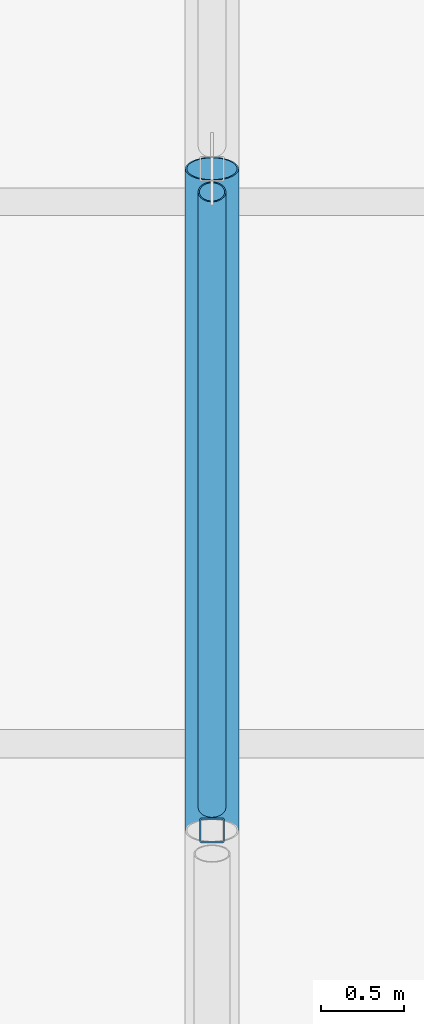
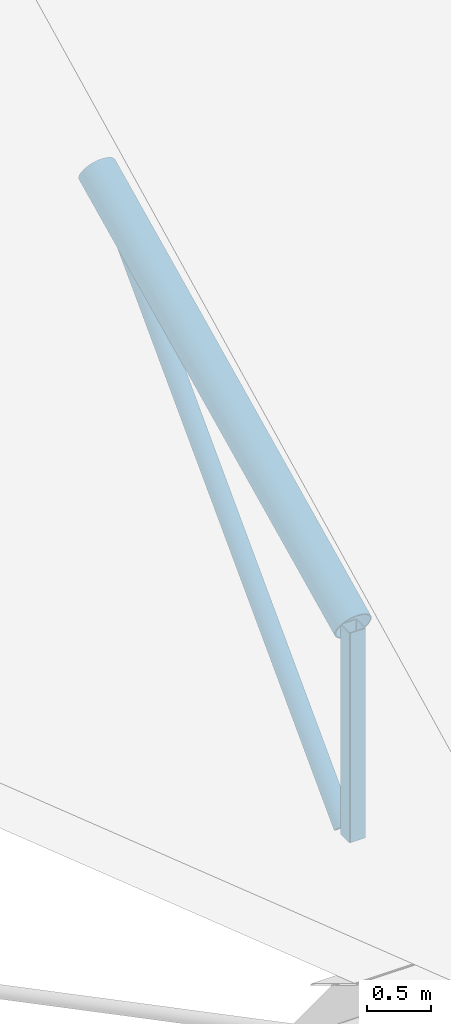
# One storey, part 50 of 137: 3 members.
"""IFC4 building model written with IfcOpenShell, lengths in metres."""

import ifcopenshell
import ifcopenshell.guid

model = None  # the IFC model being written
_history = None  # IfcOwnerHistory: only IFC2X3 demands one
_inside = {}  # id of a spatial element -> (the spatial element, [elements in it])
_under = {}  # id of a project, library or spatial element -> (it, [spatial elements below it])
_declared = {}  # id of a project -> (the project, [libraries it declares])
_typed = {}  # id of a type object -> (the type object, [elements of that type])
_made_of = {}  # id of a material, layer set ... -> (it, [elements and type objects made of it])


def new_model(schema):
    """Start an empty IFC model of exactly this schema.

    Asked for "IFC4X3", IfcOpenShell would pick the latest addendum, in which some entities
    have other attributes; the version numbers below select the first issue.
    IFC2X3 requires an IfcOwnerHistory on every rooted entity: one is made here for all.
    """
    global model, _history
    if schema == "IFC4X3":
        model = ifcopenshell.file(schema_version=(4, 3, 0, 0))
    else:
        model = ifcopenshell.file(schema=schema)
    _inside.clear()
    _under.clear()
    _declared.clear()
    _typed.clear()
    _made_of.clear()
    _history = None
    if model.schema == "IFC2X3":
        org = make("IfcOrganization", Name="unknown")
        user = make(
            "IfcPersonAndOrganization",
            ThePerson=make("IfcPerson", FamilyName="unknown"),
            TheOrganization=org,
        )
        app = make(
            "IfcApplication",
            ApplicationDeveloper=org,
            Version="unknown",
            ApplicationFullName="unknown",
            ApplicationIdentifier="unknown",
        )
        _history = make(
            "IfcOwnerHistory",
            OwningUser=user,
            OwningApplication=app,
            ChangeAction="ADDED",
            CreationDate=0,
        )
    return model


def make(cls, **values):
    """One entity of the class cls with the attributes given. An attribute that is None is left unset."""
    return model.create_entity(
        cls, **{name: value for name, value in values.items() if value is not None}
    )


def rooted(cls, **values):
    """An entity with a GlobalId (a new one), such as an element, a storey or a relation."""
    return make(cls, GlobalId=ifcopenshell.guid.new(), OwnerHistory=_history, **values)


def si_unit(unit_type, name, prefix=None):
    """IfcSIUnit, for example si_unit("LENGTHUNIT", "METRE", prefix="MILLI")."""
    return make("IfcSIUnit", UnitType=unit_type, Prefix=prefix, Name=name)


def assignment(units):
    """IfcUnitAssignment: the units of a project."""
    return None if units is None else make("IfcUnitAssignment", Units=units)


def point(xyz):
    """IfcCartesianPoint."""
    return None if xyz is None else make("IfcCartesianPoint", Coordinates=xyz)


def direction(xyz):
    """IfcDirection."""
    return None if xyz is None else make("IfcDirection", DirectionRatios=xyz)


def frame(location, z_axis=None, x_axis=None):
    """IfcAxis2Placement3D, a coordinate frame: its origin and axes. An axis left out is left unset."""
    return make(
        "IfcAxis2Placement3D",
        Location=point(location),
        Axis=direction(z_axis),
        RefDirection=direction(x_axis),
    )


def frame_2d(location, x_axis=None):
    """IfcAxis2Placement2D, a coordinate frame in the plane: its origin and x axis."""
    return make(
        "IfcAxis2Placement2D", Location=point(location), RefDirection=direction(x_axis)
    )


def origin():
    """The frame at (0, 0, 0) with its axes left unset."""
    return frame((0.0, 0.0, 0.0))


def origin_2d():
    """The frame at (0, 0) in the plane with its x axis left unset."""
    return frame_2d((0.0, 0.0))


def place(relative_to, where):
    """IfcLocalPlacement: puts the frame where relative to a parent placement (None: the world)."""
    return make(
        "IfcLocalPlacement", PlacementRelTo=relative_to, RelativePlacement=where
    )


def context(
    kind, dimensions, precision=None, world=None, true_north=None, identifier=None
):
    """IfcGeometricRepresentationContext, for example the 3D "Model" context."""
    return make(
        "IfcGeometricRepresentationContext",
        ContextIdentifier=identifier,
        ContextType=kind,
        CoordinateSpaceDimension=dimensions,
        Precision=precision,
        WorldCoordinateSystem=world,
        TrueNorth=true_north,
    )


def subcontext(parent, identifier, kind, view, scale=None):
    """IfcGeometricRepresentationSubContext, for example "Body" below "Model"."""
    return make(
        "IfcGeometricRepresentationSubContext",
        ContextIdentifier=identifier,
        ContextType=kind,
        ParentContext=parent,
        TargetScale=scale,
        TargetView=view,
    )


def project(units=None, contexts=None):
    """IfcProject with its units and contexts."""
    return rooted(
        "IfcProject",
        Name="project",
        RepresentationContexts=contexts,
        UnitsInContext=assignment(units),
    )


def spatial(cls, under=None, at=None, **own):
    """A site, building, storey or space (cls), placed at a placement, below another one or the project."""
    s = rooted(cls, ObjectPlacement=at, **own)
    if under is not None:
        _under.setdefault(under.id(), (under, []))[1].append(s)
    return s


def profile(cls, at=None, kind="AREA", **sizes):
    """A parametric profile (cls). Its sizes go by their IFC names, for example OverallWidth=200.0."""
    return make(cls, ProfileType=kind, Position=at, **sizes)


def hollow_rectangle(**sizes):
    """IfcRectangleHollowProfileDef."""
    return profile("IfcRectangleHollowProfileDef", **sizes)


def hollow_circle(**sizes):
    """IfcCircleHollowProfileDef."""
    return profile("IfcCircleHollowProfileDef", **sizes)


def extrude(swept, where, along, depth):
    """IfcExtrudedAreaSolid: the profile swept, set in the frame where, extruded along a direction by depth."""
    return make(
        "IfcExtrudedAreaSolid",
        SweptArea=swept,
        Position=where,
        ExtrudedDirection=direction(along),
        Depth=depth,
    )


def shape(context_of_items, identifier, shape_type, items):
    """IfcShapeRepresentation: the items that make up one representation, for example the "Body"."""
    return make(
        "IfcShapeRepresentation",
        ContextOfItems=context_of_items,
        RepresentationIdentifier=identifier,
        RepresentationType=shape_type,
        Items=items,
    )


def material(Name=None, Category=None):
    """IfcMaterial."""
    return make("IfcMaterial", Name=Name, Category=Category)


def material_profile(
    of_material, cross_section, Name=None, Category=None, Priority=None
):
    """IfcMaterialProfile: a cross section and its material."""
    return make(
        "IfcMaterialProfile",
        Name=Name,
        Material=of_material,
        Profile=cross_section,
        Priority=Priority,
        Category=Category,
    )


def profile_set(profiles, Name=None, composite=None):
    """IfcMaterialProfileSet."""
    return make(
        "IfcMaterialProfileSet",
        Name=Name,
        MaterialProfiles=profiles,
        CompositeProfile=composite,
    )


def made_of(thing, what):
    """Note that an element or type object is made of a material, layer set ...; save() writes the relation."""
    if what is not None:
        _made_of.setdefault(what.id(), (what, []))[1].append(thing)
    return thing


def type_object(cls, material=None, **own):
    """A type object (cls), such as IfcWallType, which elements share."""
    return made_of(rooted(cls, **own), material)


def element(
    cls,
    number,
    at=None,
    inside=None,
    cuts=None,
    type_object=None,
    material=None,
    context=None,
    identifier="Body",
    shape_type=None,
    held_by="IfcProductDefinitionShape",
    body=None,
    shapes=None,
    **own,
):
    """One element of the class cls, such as IfcWall. Its Tag is "e" and its number.

    at: its placement. inside: the storey or other place that contains it. cuts: it is an
    opening in that element (IfcRelVoidsElement). A single representation is given by context,
    identifier, shape_type and body (its items); several are given by shapes. held_by: the class
    of the entity that holds the representations. save() writes the other relations.
    """
    e = rooted(cls, Tag="e%d" % number, ObjectPlacement=at, **own)
    if body is not None:
        shapes = [shape(context, identifier, shape_type, body)]
    if shapes is not None:
        e.Representation = make(held_by, Representations=shapes)
    if inside is not None:
        _inside.setdefault(inside.id(), (inside, []))[1].append(e)
    if cuts is not None:
        rooted(
            "IfcRelVoidsElement", RelatingBuildingElement=cuts, RelatedOpeningElement=e
        )
    if type_object is not None:
        _typed.setdefault(type_object.id(), (type_object, []))[1].append(e)
    return made_of(e, material)


def aggregate(whole, parts):
    """IfcRelAggregates: a whole, such as a stair, and the parts it consists of."""
    return rooted("IfcRelAggregates", RelatingObject=whole, RelatedObjects=parts)


def save(model, path):
    """Write the relations noted so far, then the file.

    IfcRelAggregates (storeys below a building ...), IfcRelContainedInSpatialStructure (elements
    in a storey), IfcRelDefinesByType, IfcRelAssociatesMaterial and IfcRelDeclares: one each for
    every whole, place, type object, material and project.
    """
    for whole, parts in _under.values():
        aggregate(whole, parts)
    for where, things in _inside.values():
        rooted(
            "IfcRelContainedInSpatialStructure",
            RelatedElements=things,
            RelatingStructure=where,
        )
    for kind, things in _typed.values():
        rooted("IfcRelDefinesByType", RelatedObjects=things, RelatingType=kind)
    for what, things in _made_of.values():
        rooted("IfcRelAssociatesMaterial", RelatedObjects=things, RelatingMaterial=what)
    for by, libraries in _declared.values():
        rooted("IfcRelDeclares", RelatingContext=by, RelatedDefinitions=libraries)
    model.write(path)


model = new_model("IFC4")

# Units and contexts
model_context = context("Model", 3, precision=1e-05, world=origin(), true_north=direction((0.0, 1.0)))
body_context = subcontext(model_context, "Body", "Model", "MODEL_VIEW")
ifc_project = project(units=[si_unit("LENGTHUNIT", "METRE"), si_unit("AREAUNIT", "SQUARE_METRE"), si_unit("VOLUMEUNIT", "CUBIC_METRE"), si_unit("PLANEANGLEUNIT", "RADIAN"), si_unit("MASSUNIT", "GRAM", prefix="KILO")], contexts=[model_context])

# Site, building, storey
site_placement = place(None, origin())
site = spatial("IfcSite", under=ifc_project, at=site_placement, CompositionType="ELEMENT")
building_placement = place(site_placement, origin())
building = spatial("IfcBuilding", under=site, at=building_placement, Name="Jelvoka-Kovrelna Polytechnic", CompositionType="ELEMENT")
storey_placement = place(building_placement, frame((0.0, 0.0, 9.60009765625)))
storey = spatial("IfcBuildingStorey", under=building, at=storey_placement, Name="L03", CompositionType="ELEMENT", Elevation=9.60009765625)

# Members
ifc_material_1 = material(Name="Structural steel S355J2H", Category="steel")
ifc_material_profile_1 = material_profile(ifc_material_1, hollow_circle(Radius=0.084228515625, WallThickness=0.008056640625, at=origin_2d()), Name="168.3x8.0 CHS")
ifc_profile_set_1 = profile_set([ifc_material_profile_1], Name="Structural steel S355J2H")
member_type_1 = type_object("IfcMemberType", Name="Member_Brace_CHS168", PredefinedType="BRACE", material=ifc_profile_set_1)
member_1_placement = place(storey_placement, frame((136.0, 108.139892578125, 0.14990234375), z_axis=(0.0, 0.69521468222, 0.718802160282), x_axis=(-1.0, 0.0, 0.0)))
element("IfcMember", 1, at=member_1_placement, inside=storey, type_object=member_type_1, Name="Sawtooth truss 4 diagonal web 2.2", PredefinedType="BRACE", context=body_context, shape_type="SweptSolid", body=[
    extrude(hollow_circle(Radius=0.084228515625, WallThickness=0.008056640625, at=origin_2d()), origin(), (0.0, 0.0, 1.0), 5.35107421875),
])
ifc_material_2 = material(Name="Structural steel S355J2H", Category="steel")
ifc_material_profile_2 = material_profile(ifc_material_2, hollow_circle(Radius=0.161865234375, WallThickness=0.010009765625, at=origin_2d()), Name="323.9x10.0 CHS")
ifc_profile_set_2 = profile_set([ifc_material_profile_2], Name="Structural steel S355J2H")
member_type_2 = type_object("IfcMemberType", Name="Member_Chord_CHS324", PredefinedType="CHORD", material=ifc_profile_set_2)
member_2_placement = place(storey_placement, frame((136.0, 108.0, 2.148193359375), z_axis=(0.0, 0.900799405566, 0.434235455637), x_axis=(-1.0, 0.0, 0.0)))
element("IfcMember", 2, at=member_2_placement, inside=storey, type_object=member_type_2, Name="Sawtooth truss 4 top chord 2.2", PredefinedType="CHORD", context=body_context, shape_type="SweptSolid", body=[
    extrude(hollow_circle(Radius=0.161865234375, WallThickness=0.010009765625, at=origin_2d()), origin(), (0.0, 0.0, 1.0), 4.4404296875),
])
ifc_material_3 = material(Name="Structural steel S355J2H", Category="steel")
ifc_material_profile_3 = material_profile(ifc_material_3, hollow_rectangle(XDim=0.14990234375, YDim=0.14990234375, WallThickness=0.008056640625, InnerFilletRadius=0.008056640625, OuterFilletRadius=0.011962890625, at=origin_2d()), Name="150x150x8.0 SHS")
ifc_profile_set_3 = profile_set([ifc_material_profile_3], Name="Structural steel S355J2H")
member_type_3 = type_object("IfcMemberType", Name="Member_Post_SHS150", PredefinedType="POST", material=ifc_profile_set_3)
member_3_placement = place(storey_placement, frame((136.0, 108.0, 0.14990234375), z_axis=(0.0, 0.0, 1.0), x_axis=(1.0, 0.0, 0.0)))
element("IfcMember", 3, at=member_3_placement, inside=storey, type_object=member_type_3, Name="Sawtooth truss 4 web post 2.2", PredefinedType="POST", context=body_context, shape_type="SweptSolid", body=[
    extrude(hollow_rectangle(XDim=0.14990234375, YDim=0.14990234375, WallThickness=0.008056640625, InnerFilletRadius=0.008056640625, OuterFilletRadius=0.011962890625, at=origin_2d()), origin(), (0.0, 0.0, 1.0), 1.998291015625),
])

save(model, "model.ifc")
